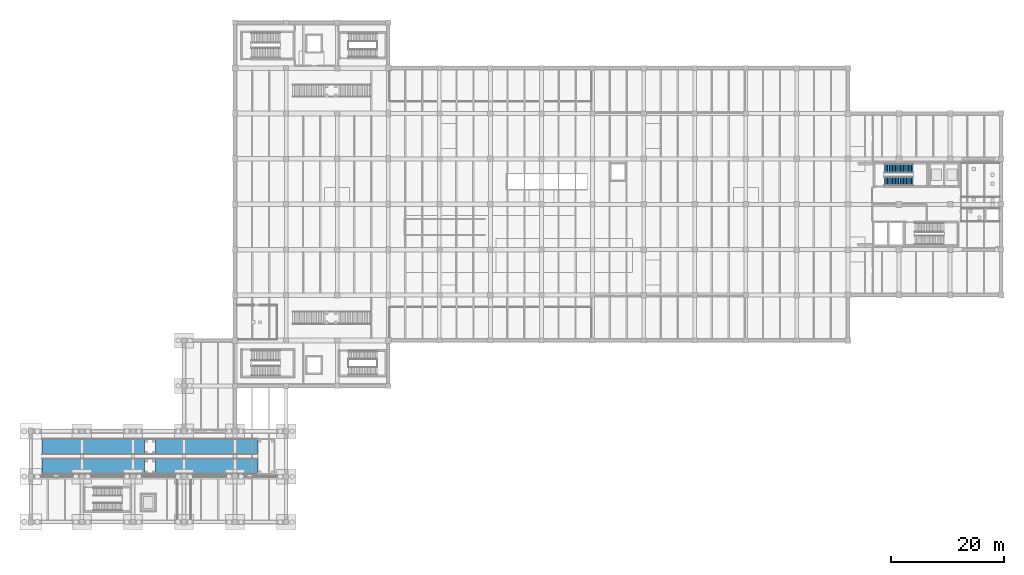
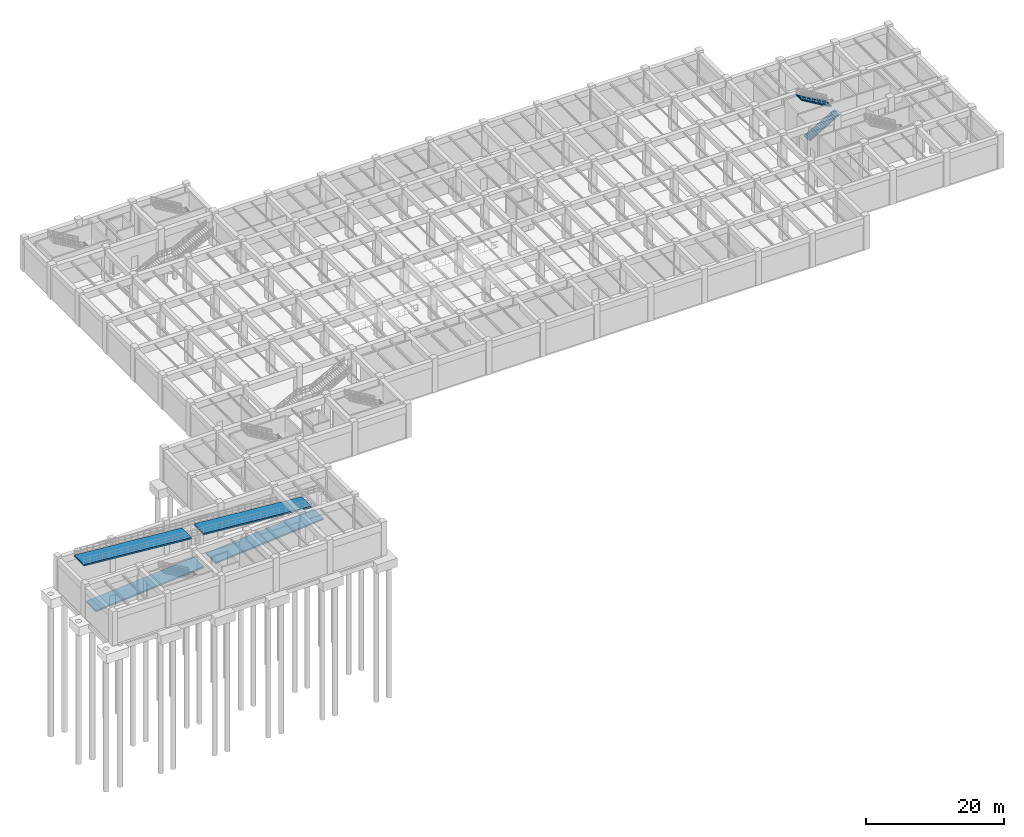
# One storey, part 14 of 20: 4 ramp flights, 2 stair flights, 2 elements without a shape of their own.
"""IFC4 building model written with IfcOpenShell, lengths in metres."""

from ifc_helpers import new_model, si_unit, derived_unit, direction, frame, origin, place, context, subcontext, project, spatial, polyline, outline, extrude, material, layer, layer_set, type_object, element, aggregate, save


model = new_model("IFC4")

# Units and contexts
model_context = context("Model", 3, precision=1e-05, world=origin(), true_north=direction((0.0, 1.0)))
body_context = subcontext(model_context, "Body", "Model", "MODEL_VIEW")
ifc_project = project(units=[si_unit("LENGTHUNIT", "METRE"), si_unit("AREAUNIT", "SQUARE_METRE"), si_unit("VOLUMEUNIT", "CUBIC_METRE"), si_unit("PLANEANGLEUNIT", "RADIAN"), si_unit("MASSUNIT", "GRAM", prefix="KILO"), derived_unit("THERMALTRANSMITTANCEUNIT", [(si_unit("MASSUNIT", "GRAM", prefix="KILO"), 1), (si_unit("TIMEUNIT", "SECOND"), -3), (si_unit("THERMODYNAMICTEMPERATUREUNIT", "KELVIN"), -1)])], contexts=[model_context])

# Site, building, storey
site_placement = place(None, origin())
site = spatial("IfcSite", under=ifc_project, at=site_placement, CompositionType="ELEMENT")
building_placement = place(site_placement, origin())
building = spatial("IfcBuilding", under=site, at=building_placement, Name="Zhenchuan Archway Interchange", CompositionType="ELEMENT")
storey_placement = place(building_placement, frame((0.0, 0.0, -6.0)))
storey = spatial("IfcBuildingStorey", under=building, at=storey_placement, Name="B1", CompositionType="ELEMENT", Elevation=-6.0)

# Stair, stair flights
ifc_material = material(Name="Concrete C35", Category="concrete")
stair_type = type_object("IfcStairType", Name="STR_HALF_1550", PredefinedType="HALF_TURN_STAIR", material=ifc_material)
stair_placement = place(storey_placement, origin())
stair = element("IfcStair", 1, at=stair_placement, inside=storey, type_object=stair_type, Name="Stair ST-O1 (B1)", PredefinedType="HALF_TURN_STAIR")
stair_flight_type = type_object("IfcStairFlightType", Name="SFL_1550_B", PredefinedType="STRAIGHT", material=ifc_material)
stair_flight_1_placement = place(storey_placement, frame((150.42431640625, 60.090087890625, 0.0), z_axis=(0.0, 0.0, 1.0), x_axis=(1.0, 0.0, 0.0)))
stair_flight_1 = element("IfcStairFlight", 2, at=stair_flight_1_placement, type_object=stair_flight_type, Name="Stair ST-O1 lower flight (B1)", NumberOfRisers=19, NumberOfTreads=18, PredefinedType="STRAIGHT", RiserHeight=0.157895, TreadLength=0.28, context=body_context, shape_type="SweptSolid", body=[
    extrude(outline(polyline([(0.0, 0.0), (0.0, 0.157958984375), (0.280029296875, 0.157958984375), (0.280029296875, 0.315673828125), (0.56005859375, 0.315673828125), (0.56005859375, 0.4736328125), (0.840087890625, 0.4736328125), (0.840087890625, 0.631591796875), (1.1201171875, 0.631591796875), (1.1201171875, 0.78955078125), (1.39990234375, 0.78955078125), (1.39990234375, 0.947265625), (1.679931640625, 0.947265625), (1.679931640625, 1.105224609375), (1.9599609375, 1.105224609375), (1.9599609375, 1.26318359375), (2.239990234375, 1.26318359375), (2.239990234375, 1.421142578125), (2.52001953125, 1.421142578125), (2.52001953125, 1.578857421875), (2.800048828125, 1.578857421875), (2.800048828125, 1.73681640625), (3.080078125, 1.73681640625), (3.080078125, 1.894775390625), (3.360107421875, 1.894775390625), (3.360107421875, 2.052734375), (3.639892578125, 2.052734375), (3.639892578125, 2.21044921875), (3.919921875, 2.21044921875), (3.919921875, 2.368408203125), (4.199951171875, 2.368408203125), (4.199951171875, 2.5263671875), (4.47998046875, 2.5263671875), (4.47998046875, 2.684326171875), (4.760009765625, 2.684326171875), (4.760009765625, 2.842041015625), (5.0400390625, 2.842041015625), (5.0400390625, 3.0), (5.061279296875, 3.0), (5.061279296875, 2.79345703125), (0.3662109375, 0.0), (0.0, 0.0)])), frame((0.0, 0.77490234375, 0.0), z_axis=(0.0, -1.0, 0.0), x_axis=(1.0, 0.0, 0.0)), (0.0, 0.0, 1.0), 1.550048828125),
])
stair_flight_2_placement = place(storey_placement, frame((155.485595703125, 62.31005859375, 3.0), z_axis=(0.0, 0.0, 1.0), x_axis=(-1.0, 0.0, 0.0)))
stair_flight_2 = element("IfcStairFlight", 3, at=stair_flight_2_placement, type_object=stair_flight_type, Name="Stair ST-O1 upper flight (B1)", NumberOfRisers=19, NumberOfTreads=18, PredefinedType="STRAIGHT", RiserHeight=0.157895, TreadLength=0.28, context=body_context, shape_type="SweptSolid", body=[
    extrude(outline(polyline([(0.0, 0.0), (0.0, 0.157958984375), (0.280029296875, 0.157958984375), (0.280029296875, 0.315673828125), (0.56005859375, 0.315673828125), (0.56005859375, 0.4736328125), (0.840087890625, 0.4736328125), (0.840087890625, 0.631591796875), (1.1201171875, 0.631591796875), (1.1201171875, 0.78955078125), (1.39990234375, 0.78955078125), (1.39990234375, 0.947265625), (1.679931640625, 0.947265625), (1.679931640625, 1.105224609375), (1.9599609375, 1.105224609375), (1.9599609375, 1.26318359375), (2.239990234375, 1.26318359375), (2.239990234375, 1.421142578125), (2.52001953125, 1.421142578125), (2.52001953125, 1.578857421875), (2.800048828125, 1.578857421875), (2.800048828125, 1.73681640625), (3.080078125, 1.73681640625), (3.080078125, 1.894775390625), (3.360107421875, 1.894775390625), (3.360107421875, 2.052734375), (3.639892578125, 2.052734375), (3.639892578125, 2.21044921875), (3.919921875, 2.21044921875), (3.919921875, 2.368408203125), (4.199951171875, 2.368408203125), (4.199951171875, 2.5263671875), (4.47998046875, 2.5263671875), (4.47998046875, 2.684326171875), (4.760009765625, 2.684326171875), (4.760009765625, 2.842041015625), (5.0400390625, 2.842041015625), (5.0400390625, 3.0), (5.061279296875, 3.0), (5.061279296875, 2.79345703125), (0.3662109375, 0.0), (0.0, 0.0)])), frame((0.0, 0.77490234375, 0.0), z_axis=(0.0, -1.0, 0.0), x_axis=(1.0, 0.0, 0.0)), (0.0, 0.0, 1.0), 1.550048828125),
])
aggregate(stair, [stair_flight_1, stair_flight_2])

# Ramp, ramp flights
ramp_type = type_object("IfcRampType", Name="RMP_CYC_SYS", PredefinedType="USERDEFINED", material=ifc_material)
ramp_placement = place(storey_placement, origin())
ramp = element("IfcRamp", 4, at=ramp_placement, inside=storey, type_object=ramp_type, Name="Cycle hub 1:12 access ramp RMP-C1", ObjectType="CYCLE_RAMP", PredefinedType="USERDEFINED")
ifc_layer = layer(ifc_material, 0.280029296875)
ifc_layer_set = layer_set([ifc_layer], Name="Concrete C35")
ramp_flight_type = type_object("IfcRampFlightType", Name="RFL_CYC_280", PredefinedType="STRAIGHT", material=ifc_layer_set)
ramp_flight_1_placement = place(storey_placement, frame((1.99951171875, 9.800048828125, 0.0), z_axis=(0.0, 0.0, 1.0), x_axis=(1.0, 0.0, 0.0)))
ramp_flight_1 = element("IfcRampFlight", 5, at=ramp_flight_1_placement, type_object=ramp_flight_type, Name="RMP-C1 ramp flight 1", PredefinedType="STRAIGHT", context=body_context, shape_type="SweptSolid", body=[
    extrude(outline(polyline([(0.0, 0.0), (18.001220703125, 1.5), (18.001220703125, 1.219970703125), (0.0, -0.280029296875), (0.0, 0.0)])), frame((0.0, 1.39990234375, 0.0), z_axis=(0.0, -1.0, 0.0), x_axis=(1.0, 0.0, 0.0)), (0.0, 0.0, 1.0), 2.800048828125),
])
ramp_flight_2_placement = place(storey_placement, frame((21.99951171875, 9.800048828125, 1.5), z_axis=(0.0, 0.0, 1.0), x_axis=(1.0, 0.0, 0.0)))
ramp_flight_2 = element("IfcRampFlight", 6, at=ramp_flight_2_placement, type_object=ramp_flight_type, Name="RMP-C1 ramp flight 2", PredefinedType="STRAIGHT", context=body_context, shape_type="SweptSolid", body=[
    extrude(outline(polyline([(0.0, 0.0), (18.001220703125, 1.5), (18.001220703125, 1.219970703125), (0.0, -0.280029296875), (0.0, 0.0)])), frame((0.0, 1.39990234375, 0.0), z_axis=(0.0, -1.0, 0.0), x_axis=(1.0, 0.0, 0.0)), (0.0, 0.0, 1.0), 2.800048828125),
])
ramp_flight_3_placement = place(storey_placement, frame((40.00048828125, 13.300048828125, 3.0), z_axis=(0.0, 0.0, 1.0), x_axis=(-1.0, 0.0, 0.0)))
ramp_flight_3 = element("IfcRampFlight", 7, at=ramp_flight_3_placement, type_object=ramp_flight_type, Name="RMP-C1 ramp flight 3", PredefinedType="STRAIGHT", context=body_context, shape_type="SweptSolid", body=[
    extrude(outline(polyline([(0.0, 0.0), (18.001220703125, 1.5), (18.001220703125, 1.219970703125), (0.0, -0.280029296875), (0.0, 0.0)])), frame((0.0, 1.39990234375, 0.0), z_axis=(0.0, -1.0, 0.0), x_axis=(1.0, 0.0, 0.0)), (0.0, 0.0, 1.0), 2.800048828125),
])
ramp_flight_4_placement = place(storey_placement, frame((20.00048828125, 13.300048828125, 4.5), z_axis=(0.0, 0.0, 1.0), x_axis=(-1.0, 0.0, 0.0)))
ramp_flight_4 = element("IfcRampFlight", 8, at=ramp_flight_4_placement, type_object=ramp_flight_type, Name="RMP-C1 ramp flight 4", PredefinedType="STRAIGHT", context=body_context, shape_type="SweptSolid", body=[
    extrude(outline(polyline([(0.0, 0.0), (18.001220703125, 1.5), (18.001220703125, 1.219970703125), (0.0, -0.280029296875), (0.0, 0.0)])), frame((0.0, 1.39990234375, 0.0), z_axis=(0.0, -1.0, 0.0), x_axis=(1.0, 0.0, 0.0)), (0.0, 0.0, 1.0), 2.800048828125),
])
aggregate(ramp, [ramp_flight_1, ramp_flight_2, ramp_flight_3, ramp_flight_4])

save(model, "model.ifc")
